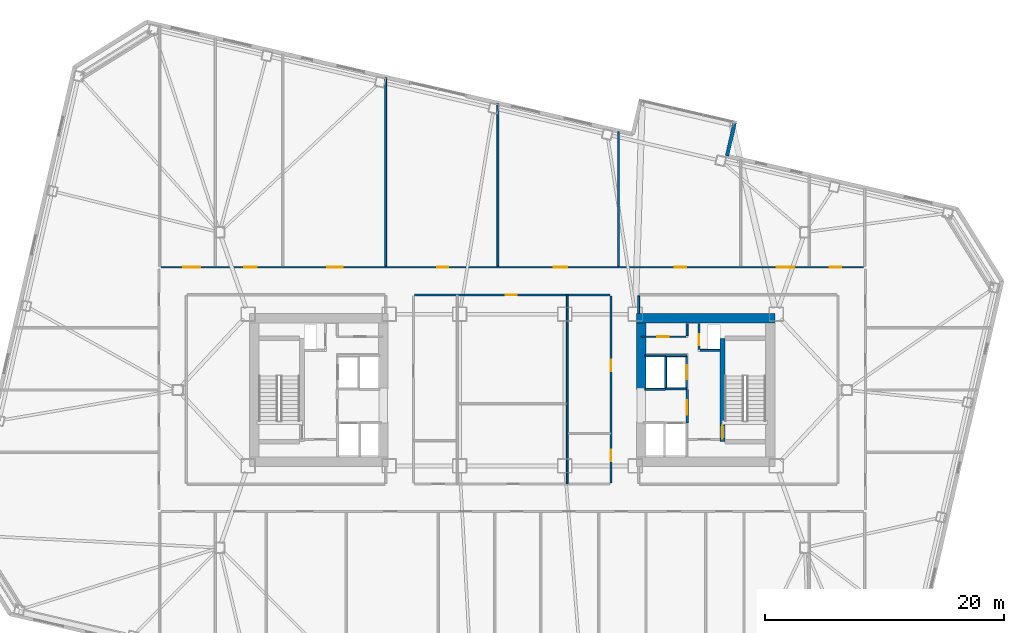
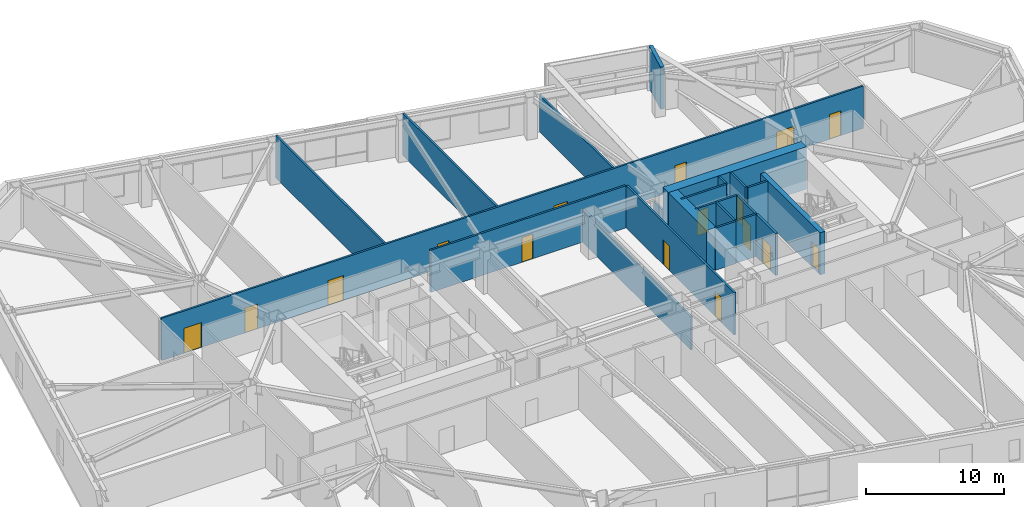
# One storey, part 16 of 23: 23 walls, 16 doors, 16 openings.
"""IFC4 building model written with IfcOpenShell, lengths in metres."""

from ifc_helpers import new_model, si_unit, direction, frame, frame_2d, origin, place, context, subcontext, project, spatial, rectangle, extrude, material, layer, layer_set, type_object, element, fill, save


model = new_model("IFC4")

# Units and contexts
model_context = context("Model", 3, precision=1e-05, world=origin(), true_north=direction((0.0, 1.0)))
body_context = subcontext(model_context, "Body", "Model", "MODEL_VIEW")
ifc_project = project(units=[si_unit("LENGTHUNIT", "METRE"), si_unit("AREAUNIT", "SQUARE_METRE"), si_unit("VOLUMEUNIT", "CUBIC_METRE"), si_unit("PLANEANGLEUNIT", "RADIAN"), si_unit("MASSUNIT", "GRAM", prefix="KILO")], contexts=[model_context])

# Site, building, storey
site_placement = place(None, origin())
site = spatial("IfcSite", under=ifc_project, at=site_placement, CompositionType="ELEMENT")
building_placement = place(site_placement, origin())
building = spatial("IfcBuilding", under=site, at=building_placement, Name="Tavrogorsk Clinical Tower", CompositionType="ELEMENT")
storey_placement = place(building_placement, frame((0.0, 0.0, 63.39990234375)))
storey = spatial("IfcBuildingStorey", under=building, at=storey_placement, Name="L13", CompositionType="ELEMENT", Elevation=63.39990234375)

# Wall, opening, door
ifc_material_1 = material(Name="Concrete B60", Category="concrete")
ifc_layer_1 = layer(ifc_material_1, 0.199951171875)
ifc_layer_set_1 = layer_set([ifc_layer_1], Name="Concrete B60")
wall_type_1 = type_object("IfcWallType", Name="CoreFireWall_200", PredefinedType="SOLIDWALL", material=ifc_layer_set_1)
wall_1_placement = place(storey_placement, frame((14.639892578125, -2.780029296875, 0.0), z_axis=(0.0, 0.0, 1.0), x_axis=(0.0, 1.0, 0.0)))
wall_1 = element("IfcWall", 1, at=wall_1_placement, inside=storey, type_object=wall_type_1, Name="L13 Core East Firefighting Lobby Fire Wall", PredefinedType="SOLIDWALL", context=body_context, shape_type="SweptSolid", body=[
    extrude(rectangle(XDim=2.820068359375, YDim=0.199951171875, at=frame_2d((1.41015625, 0.0))), origin(), (0.0, 0.0, 1.0), 3.739990234375),
])
opening_1_placement = place(wall_1_placement, frame((0.72998046875, 0.0, 0.0)))
opening_1 = element("IfcOpeningElement", 2, at=opening_1_placement, cuts=wall_1, Name="Opening FD-01", PredefinedType="OPENING", context=body_context, shape_type="SweptSolid", body=[
    extrude(rectangle(XDim=1.199951171875, YDim=2.199951171875, at=frame_2d((0.60009765625, 1.10009765625))), frame((0.0, 0.10986328125, 0.0), z_axis=(0.0, -1.0, 0.0), x_axis=(1.0, 0.0, 0.0)), (0.0, 0.0, 1.0), 0.219970703125),
])
ifc_material_2 = material(Name="Galvanised steel fire-rated door assembly", Category="steel")
door_type_1 = type_object("IfcDoorType", Name="FireDoor_FD01_1200", OperationType="NOTDEFINED", PredefinedType="DOOR", material=ifc_material_2)
door_1_placement = place(opening_1_placement, origin())
door_1 = element("IfcDoor", 3, at=door_1_placement, inside=storey, type_object=door_type_1, Name="L13 Core East Firefighting Lobby Entry Door", OperationType="SINGLE_SWING_RIGHT", OverallHeight=2.199951171875, OverallWidth=1.199951171875, PredefinedType="DOOR", context=body_context, shape_type="SweptSolid", body=[
    extrude(rectangle(XDim=1.199951171875, YDim=2.199951171875, at=frame_2d((0.60009765625, 1.10009765625))), frame((0.0, 0.02490234375, 0.0), z_axis=(0.0, -1.0, 0.0), x_axis=(1.0, 0.0, 0.0)), (0.0, 0.0, 1.0), 0.050048828125),
])
fill(opening_1, door_1)

# Wall
ifc_material_3 = material(Name="Lightweight concrete blockwork B15", Category="masonry")
ifc_layer_2 = layer(ifc_material_3, 0.139892578125)
ifc_layer_set_2 = layer_set([ifc_layer_2], Name="Lightweight concrete blockwork B15")
wall_type_2 = type_object("IfcWallType", Name="PartitionWall_140", PredefinedType="PARTITIONING", material=ifc_layer_set_2)
wall_2_placement = place(storey_placement, frame((4.60009765625, -7.864990234375, 0.0), z_axis=(0.0, 0.0, 1.0), x_axis=(0.0, 1.0, 0.0)))
element("IfcWall", 4, at=wall_2_placement, inside=storey, type_object=wall_type_2, Name="L13 Central Spine Partition 2", PredefinedType="PARTITIONING", context=body_context, shape_type="SweptSolid", body=[
    extrude(rectangle(XDim=15.830078125, YDim=0.139892578125, at=frame_2d((7.9150390625, 0.0))), origin(), (0.0, 0.0, 1.0), 2.93505859375),
])

# Wall, opening, door
ifc_material_4 = material(Name="Lightweight concrete blockwork B15", Category="masonry")
ifc_layer_3 = layer(ifc_material_4, 0.159912109375)
ifc_layer_set_3 = layer_set([ifc_layer_3], Name="Lightweight concrete blockwork B15")
wall_type_3 = type_object("IfcWallType", Name="PartitionWall_160", PredefinedType="PARTITIONING", material=ifc_layer_set_3)
wall_3_placement = place(storey_placement, frame((10.800048828125, 4.4599609375, 0.0), z_axis=(0.0, 0.0, 1.0), x_axis=(1.0, 0.0, 0.0)))
wall_3 = element("IfcWall", 5, at=wall_3_placement, inside=storey, type_object=wall_type_3, Name="L13 Core East Pneumatic Dispatch South Wall", PredefinedType="PARTITIONING", context=body_context, shape_type="SweptSolid", body=[
    extrude(rectangle(XDim=3.7548828125, YDim=0.159912109375, at=frame_2d((1.87744140625, 0.0))), origin(), (0.0, 0.0, 1.0), 3.739990234375),
])
opening_2_placement = place(wall_3_placement, frame((1.35009765625, 0.0, 0.0)))
opening_2 = element("IfcOpeningElement", 6, at=opening_2_placement, cuts=wall_3, Name="Opening ID-02", PredefinedType="OPENING", context=body_context, shape_type="SweptSolid", body=[
    extrude(rectangle(XDim=0.949951171875, YDim=2.199951171875, at=frame_2d((0.47509765625, 1.10009765625))), frame((0.0, 0.08984375, 0.0), z_axis=(0.0, -1.0, 0.0), x_axis=(1.0, 0.0, 0.0)), (0.0, 0.0, 1.0), 0.179931640625),
])
ifc_material_5 = material(Name="Laminated timber leaf on aluminium frame", Category="wood")
door_type_2 = type_object("IfcDoorType", Name="InteriorDoor_ID02_950", OperationType="NOTDEFINED", PredefinedType="DOOR", material=ifc_material_5)
door_2_placement = place(opening_2_placement, origin())
door_2 = element("IfcDoor", 7, at=door_2_placement, inside=storey, type_object=door_type_2, Name="L13 Core East Pneumatic Dispatch Door", OperationType="SINGLE_SWING_LEFT", OverallHeight=2.199951171875, OverallWidth=0.949951171875, PredefinedType="DOOR", context=body_context, shape_type="SweptSolid", body=[
    extrude(rectangle(XDim=0.949951171875, YDim=2.199951171875, at=frame_2d((0.47509765625, 1.10009765625))), frame((0.0, 0.02490234375, 0.0), z_axis=(0.0, -1.0, 0.0), x_axis=(1.0, 0.0, 0.0)), (0.0, 0.0, 1.0), 0.050048828125),
])
fill(opening_2, door_2)

# Wall
wall_4_placement = place(storey_placement, frame((14.639892578125, 4.544921875, 0.0), z_axis=(0.0, 0.0, 1.0), x_axis=(0.0, 1.0, 0.0)))
element("IfcWall", 8, at=wall_4_placement, inside=storey, type_object=wall_type_3, Name="L13 Core East Pneumatic Dispatch East Wall", PredefinedType="PARTITIONING", context=body_context, shape_type="SweptSolid", body=[
    extrude(rectangle(XDim=1.01513671875, YDim=0.159912109375, at=frame_2d((0.507568359375, 0.0))), origin(), (0.0, 0.0, 1.0), 3.739990234375),
])

# Wall, openings, doors
wall_5_placement = place(storey_placement, frame((-29.4150390625, 10.280029296875, 0.0), z_axis=(0.0, 0.0, 1.0), x_axis=(1.0, 0.0, 0.0)))
wall_5 = element("IfcWall", 9, at=wall_5_placement, inside=storey, type_object=wall_type_3, Name="L13 Corridor Partition 02", PredefinedType="PARTITIONING", context=body_context, shape_type="SweptSolid", body=[
    extrude(rectangle(XDim=58.830078125, YDim=0.159912109375, at=frame_2d((29.4150390625, 0.0))), origin(), (0.0, 0.0, 1.0), 3.739990234375),
])
opening_3_placement = place(wall_5_placement, frame((1.869140625, 0.0, 0.0)))
opening_3 = element("IfcOpeningElement", 10, at=opening_3_placement, cuts=wall_5, Name="Opening ID-05", PredefinedType="OPENING", context=body_context, shape_type="SweptSolid", body=[
    extrude(rectangle(XDim=1.449951171875, YDim=2.199951171875, at=frame_2d((0.72509765625, 1.10009765625))), frame((0.0, 0.08984375, 0.0), z_axis=(0.0, -1.0, 0.0), x_axis=(1.0, 0.0, 0.0)), (0.0, 0.0, 1.0), 0.179931640625),
])
opening_4_placement = place(wall_5_placement, frame((7.0, 0.0, 0.0)))
opening_4 = element("IfcOpeningElement", 11, at=opening_4_placement, cuts=wall_5, Name="Opening ID-04", PredefinedType="OPENING", context=body_context, shape_type="SweptSolid", body=[
    extrude(rectangle(XDim=1.050048828125, YDim=2.199951171875, at=frame_2d((0.52490234375, 1.10009765625))), frame((0.0, 0.08984375, 0.0), z_axis=(0.0, -1.0, 0.0), x_axis=(1.0, 0.0, 0.0)), (0.0, 0.0, 1.0), 0.179931640625),
])
opening_5_placement = place(wall_5_placement, frame((13.949951171875, 0.0, 0.0)))
opening_5 = element("IfcOpeningElement", 12, at=opening_5_placement, cuts=wall_5, Name="Opening ID-01", PredefinedType="OPENING", context=body_context, shape_type="SweptSolid", body=[
    extrude(rectangle(XDim=1.300048828125, YDim=2.199951171875, at=frame_2d((0.64990234375, 1.10009765625))), frame((0.0, 0.08984375, 0.0), z_axis=(0.0, -1.0, 0.0), x_axis=(1.0, 0.0, 0.0)), (0.0, 0.0, 1.0), 0.179931640625),
])
opening_6_placement = place(wall_5_placement, frame((23.125, 0.0, 0.0)))
opening_6 = element("IfcOpeningElement", 13, at=opening_6_placement, cuts=wall_5, Name="Opening ID-02", PredefinedType="OPENING", context=body_context, shape_type="SweptSolid", body=[
    extrude(rectangle(XDim=0.949951171875, YDim=2.199951171875, at=frame_2d((0.47509765625, 1.10009765625))), frame((0.0, 0.08984375, 0.0), z_axis=(0.0, -1.0, 0.0), x_axis=(1.0, 0.0, 0.0)), (0.0, 0.0, 1.0), 0.179931640625),
])
opening_7_placement = place(wall_5_placement, frame((32.875, 0.0, 0.0)))
opening_7 = element("IfcOpeningElement", 14, at=opening_7_placement, cuts=wall_5, Name="Opening ID-06", PredefinedType="OPENING", context=body_context, shape_type="SweptSolid", body=[
    extrude(rectangle(XDim=1.14990234375, YDim=2.199951171875, at=frame_2d((0.574951171875, 1.10009765625))), frame((0.0, 0.08984375, 0.0), z_axis=(0.0, -1.0, 0.0), x_axis=(1.0, 0.0, 0.0)), (0.0, 0.0, 1.0), 0.179931640625),
])
opening_8_placement = place(wall_5_placement, frame((43.03857421875, 0.0, 0.0)))
opening_8 = element("IfcOpeningElement", 15, at=opening_8_placement, cuts=wall_5, Name="Opening ID-02", PredefinedType="OPENING", context=body_context, shape_type="SweptSolid", body=[
    extrude(rectangle(XDim=0.949951171875, YDim=2.199951171875, at=frame_2d((0.47509765625, 1.10009765625))), frame((0.0, 0.08984375, 0.0), z_axis=(0.0, -1.0, 0.0), x_axis=(1.0, 0.0, 0.0)), (0.0, 0.0, 1.0), 0.179931640625),
])
opening_9_placement = place(wall_5_placement, frame((51.55859375, 0.0, 0.0)))
opening_9 = element("IfcOpeningElement", 16, at=opening_9_placement, cuts=wall_5, Name="Opening ID-05", PredefinedType="OPENING", context=body_context, shape_type="SweptSolid", body=[
    extrude(rectangle(XDim=1.449951171875, YDim=2.199951171875, at=frame_2d((0.72509765625, 1.10009765625))), frame((0.0, 0.08984375, 0.0), z_axis=(0.0, -1.0, 0.0), x_axis=(1.0, 0.0, 0.0)), (0.0, 0.0, 1.0), 0.179931640625),
])
opening_10_placement = place(wall_5_placement, frame((56.005859375, 0.0, 0.0)))
opening_10 = element("IfcOpeningElement", 17, at=opening_10_placement, cuts=wall_5, Name="Opening ID-02", PredefinedType="OPENING", context=body_context, shape_type="SweptSolid", body=[
    extrude(rectangle(XDim=0.949951171875, YDim=2.199951171875, at=frame_2d((0.47509765625, 1.10009765625))), frame((0.0, 0.08984375, 0.0), z_axis=(0.0, -1.0, 0.0), x_axis=(1.0, 0.0, 0.0)), (0.0, 0.0, 1.0), 0.179931640625),
])
ifc_material_6 = material(Name="Antibacterial HPL consultation door on aluminium frame", Category="aluminium")
door_type_3 = type_object("IfcDoorType", Name="ConsultDoor_ID04_1050", OperationType="NOTDEFINED", PredefinedType="DOOR", material=ifc_material_6)
door_3_placement = place(opening_4_placement, origin())
door_3 = element("IfcDoor", 18, at=door_3_placement, inside=storey, type_object=door_type_3, Name="L13 North Multidisciplinary Case Room 02 Door", OperationType="SINGLE_SWING_RIGHT", OverallHeight=2.199951171875, OverallWidth=1.050048828125, PredefinedType="DOOR", context=body_context, shape_type="SweptSolid", body=[
    extrude(rectangle(XDim=1.050048828125, YDim=2.199951171875, at=frame_2d((0.52490234375, 1.10009765625))), frame((0.0, 0.02490234375, 0.0), z_axis=(0.0, -1.0, 0.0), x_axis=(1.0, 0.0, 0.0)), (0.0, 0.0, 1.0), 0.050048828125),
])
fill(opening_4, door_3)
ifc_material_7 = material(Name="Antibacterial HPL bariatric ward double door")
door_type_4 = type_object("IfcDoorType", Name="DoubleWardDoor_ID05_1450", OperationType="DOUBLE_SWING_LEFT", PredefinedType="DOOR", material=ifc_material_7)
door_4_placement = place(opening_3_placement, origin())
door_4 = element("IfcDoor", 19, at=door_4_placement, inside=storey, type_object=door_type_4, Name="L13 North Sub-Acute Recovery Ward 01 Door", OperationType="DOUBLE_SWING_LEFT", OverallHeight=2.199951171875, OverallWidth=1.449951171875, PredefinedType="DOOR", context=body_context, shape_type="SweptSolid", body=[
    extrude(rectangle(XDim=1.449951171875, YDim=2.199951171875, at=frame_2d((0.72509765625, 1.10009765625))), frame((0.0, 0.02490234375, 0.0), z_axis=(0.0, -1.0, 0.0), x_axis=(1.0, 0.0, 0.0)), (0.0, 0.0, 1.0), 0.050048828125),
])
fill(opening_3, door_4)
door_5_placement = place(opening_9_placement, origin())
door_5 = element("IfcDoor", 20, at=door_5_placement, inside=storey, type_object=door_type_4, Name="L13 North Step-Down Telemetry Ward 07 Door", OperationType="DOUBLE_SWING_LEFT", OverallHeight=2.199951171875, OverallWidth=1.449951171875, PredefinedType="DOOR", context=body_context, shape_type="SweptSolid", body=[
    extrude(rectangle(XDim=1.449951171875, YDim=2.199951171875, at=frame_2d((0.72509765625, 1.10009765625))), frame((0.0, 0.02490234375, 0.0), z_axis=(0.0, -1.0, 0.0), x_axis=(1.0, 0.0, 0.0)), (0.0, 0.0, 1.0), 0.050048828125),
])
fill(opening_9, door_5)
door_6_placement = place(opening_6_placement, origin())
door_6 = element("IfcDoor", 21, at=door_6_placement, inside=storey, type_object=door_type_2, Name="L13 North Clinical Examination Suite 04 Door", OperationType="SINGLE_SWING_RIGHT", OverallHeight=2.199951171875, OverallWidth=0.949951171875, PredefinedType="DOOR", context=body_context, shape_type="SweptSolid", body=[
    extrude(rectangle(XDim=0.949951171875, YDim=2.199951171875, at=frame_2d((0.47509765625, 1.10009765625))), frame((0.0, 0.02490234375, 0.0), z_axis=(0.0, -1.0, 0.0), x_axis=(1.0, 0.0, 0.0)), (0.0, 0.0, 1.0), 0.050048828125),
])
fill(opening_6, door_6)
door_7_placement = place(opening_8_placement, origin())
door_7 = element("IfcDoor", 22, at=door_7_placement, inside=storey, type_object=door_type_2, Name="L13 North Physiotherapy Rehab Studio 06 Door", OperationType="SINGLE_SWING_RIGHT", OverallHeight=2.199951171875, OverallWidth=0.949951171875, PredefinedType="DOOR", context=body_context, shape_type="SweptSolid", body=[
    extrude(rectangle(XDim=0.949951171875, YDim=2.199951171875, at=frame_2d((0.47509765625, 1.10009765625))), frame((0.0, 0.02490234375, 0.0), z_axis=(0.0, -1.0, 0.0), x_axis=(1.0, 0.0, 0.0)), (0.0, 0.0, 1.0), 0.050048828125),
])
fill(opening_8, door_7)
door_8_placement = place(opening_10_placement, origin())
door_8 = element("IfcDoor", 23, at=door_8_placement, inside=storey, type_object=door_type_2, Name="L13 North Physician Consultation Office 08 Door", OperationType="SINGLE_SWING_RIGHT", OverallHeight=2.199951171875, OverallWidth=0.949951171875, PredefinedType="DOOR", context=body_context, shape_type="SweptSolid", body=[
    extrude(rectangle(XDim=0.949951171875, YDim=2.199951171875, at=frame_2d((0.47509765625, 1.10009765625))), frame((0.0, 0.02490234375, 0.0), z_axis=(0.0, -1.0, 0.0), x_axis=(1.0, 0.0, 0.0)), (0.0, 0.0, 1.0), 0.050048828125),
])
fill(opening_10, door_8)
ifc_material_8 = material(Name="Antibacterial HPL procedure door on aluminium frame", Category="aluminium")
door_type_5 = type_object("IfcDoorType", Name="LabDoor_ID06_1150", OperationType="NOTDEFINED", PredefinedType="DOOR", material=ifc_material_8)
door_9_placement = place(opening_7_placement, origin())
door_9 = element("IfcDoor", 24, at=door_9_placement, inside=storey, type_object=door_type_5, Name="L13 North Diagnostic Ultrasound Suite 05 Door", OperationType="SINGLE_SWING_LEFT", OverallHeight=2.199951171875, OverallWidth=1.14990234375, PredefinedType="DOOR", context=body_context, shape_type="SweptSolid", body=[
    extrude(rectangle(XDim=1.14990234375, YDim=2.199951171875, at=frame_2d((0.574951171875, 1.10009765625))), frame((0.0, 0.02490234375, 0.0), z_axis=(0.0, -1.0, 0.0), x_axis=(1.0, 0.0, 0.0)), (0.0, 0.0, 1.0), 0.050048828125),
])
fill(opening_7, door_9)
ifc_material_9 = material(Name="Antibacterial HPL medical leaf on aluminium frame", Category="aluminium")
door_type_6 = type_object("IfcDoorType", Name="WardBedDoor_ID01_1300", OperationType="NOTDEFINED", PredefinedType="DOOR", material=ifc_material_9)
door_10_placement = place(opening_5_placement, origin())
door_10 = element("IfcDoor", 25, at=door_10_placement, inside=storey, type_object=door_type_6, Name="L13 North Inpatient Clinical Ward 03 Door", OperationType="SINGLE_SWING_LEFT", OverallHeight=2.199951171875, OverallWidth=1.300048828125, PredefinedType="DOOR", context=body_context, shape_type="SweptSolid", body=[
    extrude(rectangle(XDim=1.300048828125, YDim=2.199951171875, at=frame_2d((0.64990234375, 1.10009765625))), frame((0.0, 0.02490234375, 0.0), z_axis=(0.0, -1.0, 0.0), x_axis=(1.0, 0.0, 0.0)), (0.0, 0.0, 1.0), 0.050048828125),
])
fill(opening_5, door_10)

# Wall
wall_6_placement = place(storey_placement, frame((10.580078125, 7.885009765625, 0.0), z_axis=(0.0, 0.0, 1.0), x_axis=(0.0, -1.0, 0.0)))
element("IfcWall", 26, at=wall_6_placement, inside=storey, type_object=wall_type_3, Name="L13 Corridor Partition 06", PredefinedType="PARTITIONING", context=body_context, shape_type="SweptSolid", body=[
    extrude(rectangle(XDim=1.465087890625, YDim=0.159912109375, at=frame_2d((0.732421875, 0.0))), origin(), (0.0, 0.0, 1.0), 1.53515625),
])

# Wall, openings, doors
wall_7_placement = place(storey_placement, frame((8.27001953125, -7.784912109375, 0.0), z_axis=(0.0, 0.0, 1.0), x_axis=(0.0, 1.0, 0.0)))
wall_7 = element("IfcWall", 27, at=wall_7_placement, inside=storey, type_object=wall_type_3, Name="L13 Corridor Partition 10", PredefinedType="PARTITIONING", context=body_context, shape_type="SweptSolid", body=[
    extrude(rectangle(XDim=15.669921875, YDim=0.159912109375, at=frame_2d((7.8349609375, 0.0))), origin(), (0.0, 0.0, 1.0), 3.739990234375),
])
opening_11_placement = place(wall_7_placement, frame((1.8291015625, 0.0, 0.0)))
opening_11 = element("IfcOpeningElement", 28, at=opening_11_placement, cuts=wall_7, Name="Opening ID-02", PredefinedType="OPENING", context=body_context, shape_type="SweptSolid", body=[
    extrude(rectangle(XDim=0.949951171875, YDim=2.199951171875, at=frame_2d((0.47509765625, 1.10009765625))), frame((0.0, 0.08984375, 0.0), z_axis=(0.0, -1.0, 0.0), x_axis=(1.0, 0.0, 0.0)), (0.0, 0.0, 1.0), 0.179931640625),
])
opening_12_placement = place(wall_7_placement, frame((9.36083984375, 0.0, 0.0)))
opening_12 = element("IfcOpeningElement", 29, at=opening_12_placement, cuts=wall_7, Name="Opening ID-02", PredefinedType="OPENING", context=body_context, shape_type="SweptSolid", body=[
    extrude(rectangle(XDim=0.949951171875, YDim=2.199951171875, at=frame_2d((0.47509765625, 1.10009765625))), frame((0.0, 0.08984375, 0.0), z_axis=(0.0, -1.0, 0.0), x_axis=(1.0, 0.0, 0.0)), (0.0, 0.0, 1.0), 0.179931640625),
])
door_11_placement = place(opening_11_placement, origin())
door_11 = element("IfcDoor", 30, at=door_11_placement, inside=storey, type_object=door_type_2, Name="L13 Staff & Visitor Accessible WC Door", OperationType="SINGLE_SWING_LEFT", OverallHeight=2.199951171875, OverallWidth=0.949951171875, PredefinedType="DOOR", context=body_context, shape_type="SweptSolid", body=[
    extrude(rectangle(XDim=0.949951171875, YDim=2.199951171875, at=frame_2d((0.47509765625, 1.10009765625))), frame((0.0, 0.02490234375, 0.0), z_axis=(0.0, -1.0, 0.0), x_axis=(1.0, 0.0, 0.0)), (0.0, 0.0, 1.0), 0.050048828125),
])
fill(opening_11, door_11)
door_12_placement = place(opening_12_placement, origin())
door_12 = element("IfcDoor", 31, at=door_12_placement, inside=storey, type_object=door_type_2, Name="L13 Attending Physician Office Door", OperationType="SINGLE_SWING_RIGHT", OverallHeight=2.199951171875, OverallWidth=0.949951171875, PredefinedType="DOOR", context=body_context, shape_type="SweptSolid", body=[
    extrude(rectangle(XDim=0.949951171875, YDim=2.199951171875, at=frame_2d((0.47509765625, 1.10009765625))), frame((0.0, 0.02490234375, 0.0), z_axis=(0.0, -1.0, 0.0), x_axis=(1.0, 0.0, 0.0)), (0.0, 0.0, 1.0), 0.050048828125),
])
fill(opening_12, door_12)

# Wall, opening, door
wall_8_placement = place(storey_placement, frame((8.18505859375, 7.969970703125, 0.0), z_axis=(0.0, 0.0, 1.0), x_axis=(-1.0, 0.0, 0.0)))
wall_8 = element("IfcWall", 32, at=wall_8_placement, inside=storey, type_object=wall_type_3, Name="L13 Corridor Partition 11", PredefinedType="PARTITIONING", context=body_context, shape_type="SweptSolid", body=[
    extrude(rectangle(XDim=16.3701171875, YDim=0.159912109375, at=frame_2d((8.18505859375, 0.0))), origin(), (0.0, 0.0, 1.0), 3.739990234375),
])
opening_13_placement = place(wall_8_placement, frame((7.794921875, 0.0, 0.0)))
opening_13 = element("IfcOpeningElement", 33, at=opening_13_placement, cuts=wall_8, Name="Opening ID-02", PredefinedType="OPENING", context=body_context, shape_type="SweptSolid", body=[
    extrude(rectangle(XDim=0.949951171875, YDim=2.199951171875, at=frame_2d((0.47509765625, 1.10009765625))), frame((0.0, 0.08984375, 0.0), z_axis=(0.0, -1.0, 0.0), x_axis=(1.0, 0.0, 0.0)), (0.0, 0.0, 1.0), 0.179931640625),
])
door_13_placement = place(opening_13_placement, origin())
door_13 = element("IfcDoor", 34, at=door_13_placement, inside=storey, type_object=door_type_2, Name="L13 Nurses' Station & Triage Hub Door", OperationType="SINGLE_SWING_RIGHT", OverallHeight=2.199951171875, OverallWidth=0.949951171875, PredefinedType="DOOR", context=body_context, shape_type="SweptSolid", body=[
    extrude(rectangle(XDim=0.949951171875, YDim=2.199951171875, at=frame_2d((0.47509765625, 1.10009765625))), frame((0.0, 0.02490234375, 0.0), z_axis=(0.0, -1.0, 0.0), x_axis=(1.0, 0.0, 0.0)), (0.0, 0.0, 1.0), 0.050048828125),
])
fill(opening_13, door_13)

# Walls
wall_9_placement = place(storey_placement, frame((-10.60009765625, 10.364990234375, 0.0), z_axis=(0.0, 0.0, 1.0), x_axis=(0.0, 1.0, 0.0)))
element("IfcWall", 35, at=wall_9_placement, inside=storey, type_object=wall_type_3, Name="L13 North Room Partition 3", PredefinedType="PARTITIONING", context=body_context, shape_type="SweptSolid", body=[
    extrude(rectangle(XDim=15.755126953125, YDim=0.159912109375, at=frame_2d((7.87744140625, 0.0))), origin(), (0.0, 0.0, 1.0), 3.739990234375),
])
wall_10_placement = place(storey_placement, frame((-1.199951171875, 10.364990234375, 0.0), z_axis=(0.0, 0.0, 1.0), x_axis=(0.0, 1.0, 0.0)))
element("IfcWall", 36, at=wall_10_placement, inside=storey, type_object=wall_type_3, Name="L13 North Room Partition 4", PredefinedType="PARTITIONING", context=body_context, shape_type="SweptSolid", body=[
    extrude(rectangle(XDim=13.5849609375, YDim=0.159912109375, at=frame_2d((6.79248046875, 0.0))), origin(), (0.0, 0.0, 1.0), 3.739990234375),
])
wall_11_placement = place(storey_placement, frame((8.89990234375, 10.364990234375, 0.0), z_axis=(0.0, 0.0, 1.0), x_axis=(0.0, 1.0, 0.0)))
element("IfcWall", 37, at=wall_11_placement, inside=storey, type_object=wall_type_3, Name="L13 North Room Partition 5", PredefinedType="PARTITIONING", context=body_context, shape_type="SweptSolid", body=[
    extrude(rectangle(XDim=11.25341796875, YDim=0.159912109375, at=frame_2d((5.626708984375, 0.0))), origin(), (0.0, 0.0, 1.0), 3.235107421875),
])

# Wall, opening, door
ifc_material_10 = material(Name="Lightweight concrete blockwork B25", Category="masonry")
ifc_layer_4 = layer(ifc_material_10, 0.159912109375)
ifc_layer_set_4 = layer_set([ifc_layer_4], Name="Lightweight concrete blockwork B25")
wall_type_4 = type_object("IfcWallType", Name="ShaftWall_160", PredefinedType="PARTITIONING", material=ifc_layer_set_4)
wall_12_placement = place(storey_placement, frame((14.60009765625, 0.1201171875, 0.0), z_axis=(0.0, 0.0, 1.0), x_axis=(0.0, 1.0, 0.0)))
wall_12 = element("IfcWall", 38, at=wall_12_placement, inside=storey, type_object=wall_type_4, Name="L13 FFL-E Firefighting Lift Front Wall", PredefinedType="PARTITIONING", context=body_context, shape_type="SweptSolid", body=[
    extrude(rectangle(XDim=2.739990234375, YDim=0.159912109375, at=frame_2d((1.3701171875, 0.0))), origin(), (0.0, 0.0, 1.0), 3.739990234375),
])
opening_14_placement = place(wall_12_placement, frame((0.77001953125, 0.0, 0.0)))
opening_14 = element("IfcOpeningElement", 39, at=opening_14_placement, cuts=wall_12, Name="Opening LD", PredefinedType="OPENING", context=body_context, shape_type="SweptSolid", body=[
    extrude(rectangle(XDim=1.199951171875, YDim=2.199951171875, at=frame_2d((0.60009765625, 1.10009765625))), frame((0.0, 0.08984375, 0.0), z_axis=(0.0, -1.0, 0.0), x_axis=(1.0, 0.0, 0.0)), (0.0, 0.0, 1.0), 0.179931640625),
])
ifc_material_11 = material(Name="Brushed stainless steel AISI 304 sliding doors", Category="steel")
door_type_7 = type_object("IfcDoorType", Name="LiftLandingDoor_LD_1200", OperationType="SLIDING_TO_LEFT", PredefinedType="DOOR", material=ifc_material_11)
door_14_placement = place(opening_14_placement, origin())
door_14 = element("IfcDoor", 40, at=door_14_placement, inside=storey, type_object=door_type_7, Name="L13 FFL-E Sliding Lift Landing Door", OperationType="SLIDING_TO_LEFT", OverallHeight=2.199951171875, OverallWidth=1.199951171875, PredefinedType="DOOR", context=body_context, shape_type="SweptSolid", body=[
    extrude(rectangle(XDim=1.199951171875, YDim=2.199951171875, at=frame_2d((0.60009765625, 1.10009765625))), frame((0.0, 0.02490234375, 0.0), z_axis=(0.0, -1.0, 0.0), x_axis=(1.0, 0.0, 0.0)), (0.0, 0.0, 1.0), 0.050048828125),
])
fill(opening_14, door_14)

# Walls
for number, where, z_axis, x_axis, name in (
    (41, (12.840087890625, 0.10009765625, 0.0), (0.0, 0.0, 1.0), (1.0, 0.0, 0.0), "L13 FFL-E Shaft South Wall"),
    (42, (12.840087890625, 2.8798828125, 0.0), (0.0, 0.0, 1.0), (1.0, 0.0, 0.0), "L13 FFL-E Shaft North Wall"),
):
    element("IfcWall", number, at=place(storey_placement, frame(where, z_axis=z_axis, x_axis=x_axis)), inside=storey, type_object=wall_type_4, Name=name, PredefinedType="PARTITIONING", context=body_context, shape_type="SweptSolid", body=[
        extrude(rectangle(XDim=1.760009765625, YDim=0.159912109375, at=frame_2d((0.8798828125, 0.0))), origin(), (0.0, 0.0, 1.0), 3.739990234375),
    ])
wall_13_placement = place(storey_placement, frame((12.840087890625, 0.179931640625, 0.0), z_axis=(0.0, 0.0, 1.0), x_axis=(0.0, 1.0, 0.0)))
element("IfcWall", 43, at=wall_13_placement, inside=storey, type_object=wall_type_4, Name="L13 FFL-E Shaft Back Wall", PredefinedType="PARTITIONING", context=body_context, shape_type="SweptSolid", body=[
    extrude(rectangle(XDim=2.6201171875, YDim=0.159912109375, at=frame_2d((1.31005859375, 0.0))), origin(), (0.0, 0.0, 1.0), 3.739990234375),
])
for number, where, z_axis, x_axis, name in (
    (44, (11.10009765625, 0.06005859375, 0.0), (0.0, 0.0, 1.0), (1.0, 0.0, 0.0), "L13 LP-H2 High-Zone Lift Portal Wall"),
    (45, (11.10009765625, 2.860107421875, 0.0), (0.0, 0.0, 1.0), (1.0, 0.0, 0.0), "L13 LP-H2 High-Zone Lift Rear Wall"),
):
    element("IfcWall", number, at=place(storey_placement, frame(where, z_axis=z_axis, x_axis=x_axis)), inside=storey, type_object=wall_type_4, Name=name, PredefinedType="PARTITIONING", context=body_context, shape_type="SweptSolid", body=[
        extrude(rectangle(XDim=1.719970703125, YDim=0.159912109375, at=frame_2d((0.85986328125, 0.0))), origin(), (0.0, 0.0, 1.0), 3.739990234375),
    ])

# Wall, opening, door
wall_14_placement = place(storey_placement, frame((15.639892578125, 3.405029296875, 0.0), z_axis=(0.0, 0.0, 1.0), x_axis=(0.0, 1.0, 0.0)))
wall_14 = element("IfcWall", 46, at=wall_14_placement, inside=storey, type_object=wall_type_4, Name="L13 Core East Riser West Wall", PredefinedType="PARTITIONING", context=body_context, shape_type="SweptSolid", body=[
    extrude(rectangle(XDim=2.155029296875, YDim=0.159912109375, at=frame_2d((1.07763671875, 0.0))), origin(), (0.0, 0.0, 1.0), 3.739990234375),
])
opening_15_placement = place(wall_14_placement, frame((0.35009765625, 0.0, 0.0)))
opening_15 = element("IfcOpeningElement", 47, at=opening_15_placement, cuts=wall_14, Name="Opening FD-02", PredefinedType="OPENING", context=body_context, shape_type="SweptSolid", body=[
    extrude(rectangle(XDim=0.89990234375, YDim=2.199951171875, at=frame_2d((0.449951171875, 1.10009765625))), frame((0.0, 0.08984375, 0.0), z_axis=(0.0, -1.0, 0.0), x_axis=(1.0, 0.0, 0.0)), (0.0, 0.0, 1.0), 0.179931640625),
])
ifc_material_12 = material(Name="Galvanised steel fire-rated door assembly", Category="steel")
door_type_8 = type_object("IfcDoorType", Name="FireDoor_FD02_900", OperationType="NOTDEFINED", PredefinedType="DOOR", material=ifc_material_12)
door_15_placement = place(opening_15_placement, origin())
door_15 = element("IfcDoor", 48, at=door_15_placement, inside=storey, type_object=door_type_8, Name="L13 Core East Electrical Riser Access Door", OperationType="SINGLE_SWING_LEFT", OverallHeight=2.199951171875, OverallWidth=0.89990234375, PredefinedType="DOOR", context=body_context, shape_type="SweptSolid", body=[
    extrude(rectangle(XDim=0.89990234375, YDim=2.199951171875, at=frame_2d((0.449951171875, 1.10009765625))), frame((0.0, 0.02490234375, 0.0), z_axis=(0.0, -1.0, 0.0), x_axis=(1.0, 0.0, 0.0)), (0.0, 0.0, 1.0), 0.050048828125),
])
fill(opening_15, door_15)

# Wall
wall_15_placement = place(storey_placement, frame((15.72509765625, 3.320068359375, 0.0), z_axis=(0.0, 0.0, 1.0), x_axis=(1.0, 0.0, 0.0)))
element("IfcWall", 49, at=wall_15_placement, inside=storey, type_object=wall_type_4, Name="L13 Core East Riser South Wall", PredefinedType="PARTITIONING", context=body_context, shape_type="SweptSolid", body=[
    extrude(rectangle(XDim=1.65478515625, YDim=0.159912109375, at=frame_2d((0.827392578125, 0.0))), origin(), (0.0, 0.0, 1.0), 3.739990234375),
])

# Wall, opening, door
ifc_material_13 = material(Name="Concrete B80", Category="concrete")
ifc_layer_5 = layer(ifc_material_13, 0.39990234375)
ifc_layer_set_5 = layer_set([ifc_layer_5], Name="Concrete B80")
wall_type_5 = type_object("IfcWallType", Name="ShearWall_400", PredefinedType="SHEAR", material=ifc_layer_set_5)
wall_16_placement = place(storey_placement, frame((17.60009765625, -4.324951171875, 0.0), z_axis=(0.0, 0.0, 1.0), x_axis=(0.0, 1.0, 0.0)))
wall_16 = element("IfcWall", 50, at=wall_16_placement, inside=storey, type_object=wall_type_5, Name="L13 Core East Stair Shaft Inner Shear Wall", PredefinedType="SHEAR", context=body_context, shape_type="SweptSolid", body=[
    extrude(rectangle(XDim=8.64990234375, YDim=0.39990234375, at=frame_2d((4.324951171875, 0.0))), origin(), (0.0, 0.0, 1.0), 3.739990234375),
])
opening_16_placement = place(wall_16_placement, frame((0.25, 0.0, 0.0)))
opening_16 = element("IfcOpeningElement", 51, at=opening_16_placement, cuts=wall_16, Name="Opening SD-01", PredefinedType="OPENING", context=body_context, shape_type="SweptSolid", body=[
    extrude(rectangle(XDim=1.10009765625, YDim=2.199951171875, at=frame_2d((0.550048828125, 1.10009765625))), frame((0.0, 0.2099609375, 0.0), z_axis=(0.0, -1.0, 0.0), x_axis=(1.0, 0.0, 0.0)), (0.0, 0.0, 1.0), 0.419921875),
])
ifc_material_14 = material(Name="Galvanised steel smoke-tight fire door assembly", Category="steel")
door_type_9 = type_object("IfcDoorType", Name="StairFireDoor_SD01_1100", OperationType="NOTDEFINED", PredefinedType="DOOR", material=ifc_material_14)
door_16_placement = place(opening_16_placement, origin())
door_16 = element("IfcDoor", 52, at=door_16_placement, inside=storey, type_object=door_type_9, Name="L13 ST-E Exit Stair Door", OperationType="SINGLE_SWING_LEFT", OverallHeight=2.199951171875, OverallWidth=1.10009765625, PredefinedType="DOOR", context=body_context, shape_type="SweptSolid", body=[
    extrude(rectangle(XDim=1.10009765625, YDim=2.199951171875, at=frame_2d((0.550048828125, 1.10009765625))), frame((0.0, 0.02490234375, 0.0), z_axis=(0.0, -1.0, 0.0), x_axis=(1.0, 0.0, 0.0)), (0.0, 0.0, 1.0), 0.050048828125),
])
fill(opening_16, door_16)

# Walls
ifc_material_15 = material(Name="Concrete B80", Category="concrete")
ifc_layer_6 = layer(ifc_material_15, 0.800048828125)
ifc_layer_set_6 = layer_set([ifc_layer_6], Name="Concrete B80")
wall_type_6 = type_object("IfcWallType", Name="ShearWall_800", PredefinedType="SHEAR", material=ifc_layer_set_6)
wall_17_placement = place(storey_placement, frame((10.39990234375, 6.0, 0.0), z_axis=(0.0, 0.0, 1.0), x_axis=(1.0, 0.0, 0.0)))
element("IfcWall", 53, at=wall_17_placement, inside=storey, type_object=wall_type_6, Name="L13 Core East North Shear Wall", PredefinedType="SHEAR", context=body_context, shape_type="SweptSolid", body=[
    extrude(rectangle(XDim=11.60009765625, YDim=0.800048828125, at=frame_2d((5.800048828125, 0.0))), origin(), (0.0, 0.0, 1.0), 3.739990234375),
])
wall_18_placement = place(storey_placement, frame((10.800048828125, 0.050048828125, 0.0), z_axis=(0.0, 0.0, 1.0), x_axis=(0.0, 1.0, 0.0)))
element("IfcWall", 54, at=wall_18_placement, inside=storey, type_object=wall_type_6, Name="L13 Core East Inner North Pier", PredefinedType="SHEAR", context=body_context, shape_type="SweptSolid", body=[
    extrude(rectangle(XDim=5.550048828125, YDim=0.800048828125, at=frame_2d((2.77490234375, 0.0))), origin(), (0.0, 0.0, 1.0), 3.739990234375),
])
ifc_material_16 = material(Name="Precast concrete B45 with mineral wool", Category="concrete")
ifc_layer_7 = layer(ifc_material_16, 0.300048828125)
ifc_layer_set_7 = layer_set([ifc_layer_7], Name="Precast concrete B45 with mineral wool")
wall_type_7 = type_object("IfcWallType", Name="SpandrelBackWall_300", PredefinedType="STANDARD", material=ifc_layer_set_7)
wall_19_placement = place(storey_placement, frame((17.98486328125, 19.5927734375, 0.0), z_axis=(0.0, 0.0, 1.0), x_axis=(0.224921635065, 0.974376856293, 0.0)))
element("IfcWall", 55, at=wall_19_placement, inside=storey, type_object=wall_type_7, Name="L13 Day-Room Cheek Wall DRB-02-R", PredefinedType="STANDARD", context=body_context, shape_type="SweptSolid", body=[
    extrude(rectangle(XDim=2.869873046875, YDim=0.300048828125, at=frame_2d((1.43505859375, 0.0))), origin(), (0.0, 0.0, 1.0), 3.739990234375),
])

save(model, "model.ifc")
